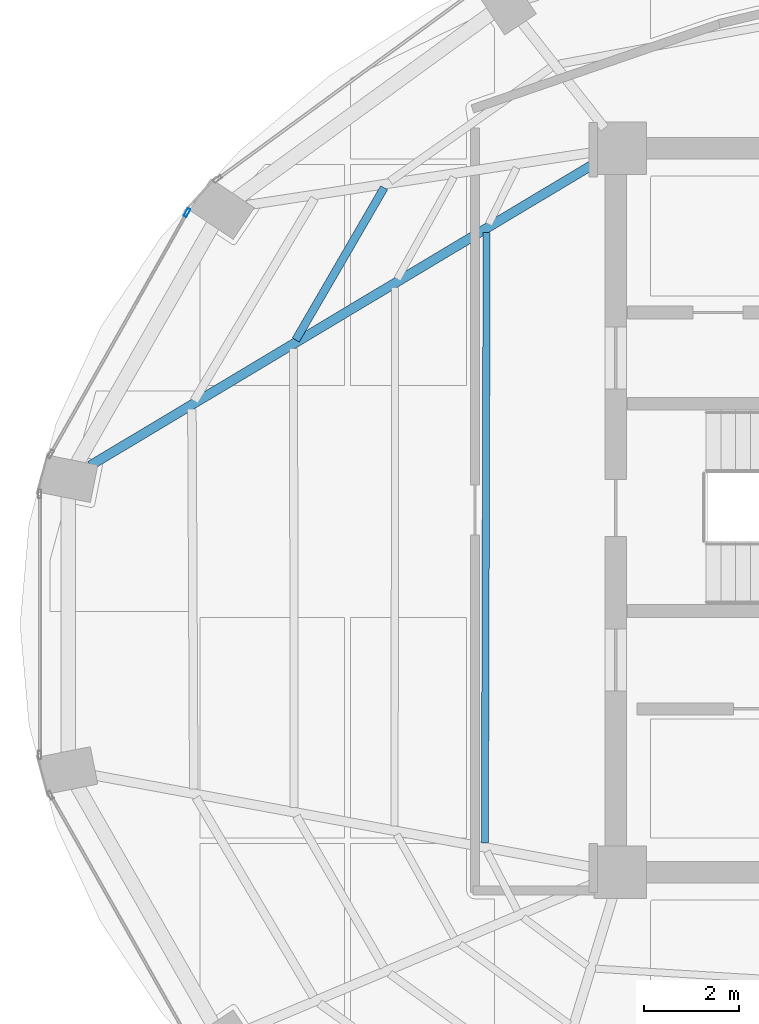
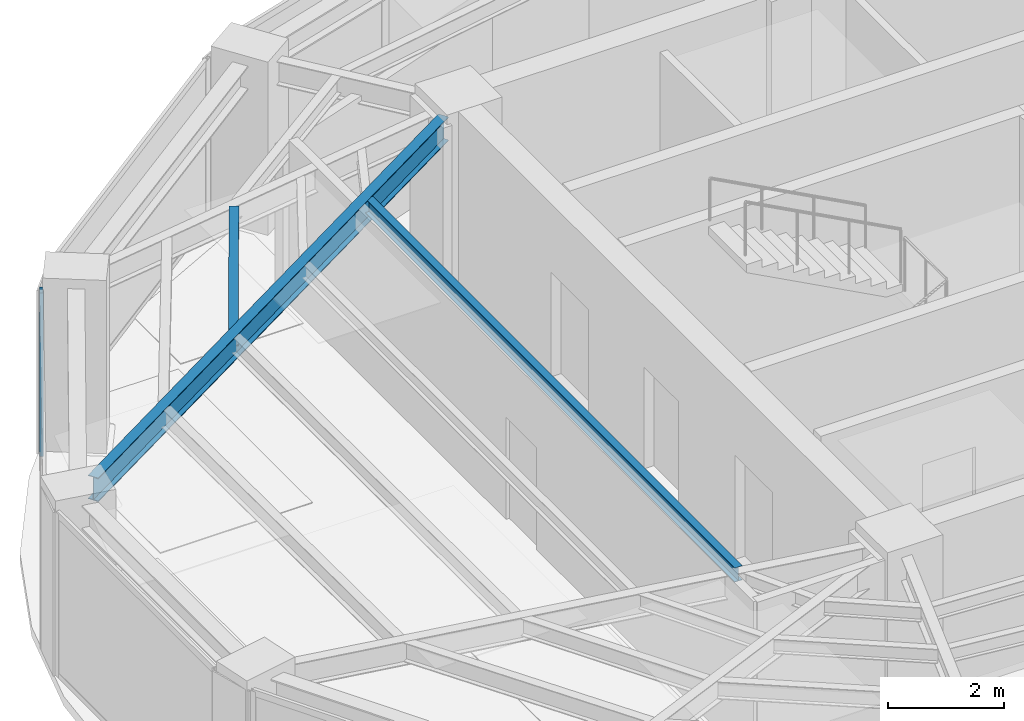
# One storey, part 9 of 22: 3 beams, 1 member, 1 element without a shape of its own.
"""IFC4 building model written with IfcOpenShell, lengths in metres."""

from ifc_helpers import new_model, si_unit, direction, frame, origin, origin_2d, place, context, subcontext, project, spatial, hollow_rectangle, i_section, extrude, material, layer, layer_set, material_profile, profile_set, type_object, element, aggregate, save


model = new_model("IFC4")

# Units and contexts
model_context = context("Model", 3, precision=1e-05, world=origin(), true_north=direction((0.0, 1.0)))
body_context = subcontext(model_context, "Body", "Model", "MODEL_VIEW")
ifc_project = project(units=[si_unit("LENGTHUNIT", "METRE"), si_unit("AREAUNIT", "SQUARE_METRE"), si_unit("VOLUMEUNIT", "CUBIC_METRE"), si_unit("PLANEANGLEUNIT", "RADIAN"), si_unit("MASSUNIT", "GRAM", prefix="KILO")], contexts=[model_context])

# Site, building, storey
site_placement = place(None, origin())
site = spatial("IfcSite", under=ifc_project, at=site_placement, CompositionType="ELEMENT")
building_placement = place(site_placement, origin())
building = spatial("IfcBuilding", under=site, at=building_placement, Name="Lazwardi Medical Tower", CompositionType="ELEMENT")
storey_placement = place(building_placement, frame((0.0, 0.0, 258.672119140625)))
storey = spatial("IfcBuildingStorey", under=building, at=storey_placement, Name="L67", CompositionType="ELEMENT", Elevation=258.672119140625)

# Beams
ifc_material_1 = material(Name="Steel S355", Category="steel")
ifc_material_profile_1 = material_profile(ifc_material_1, i_section(OverallWidth=0.199951171875, OverallDepth=0.5, WebThickness=0.01025390625, FlangeThickness=0.01611328125, at=origin_2d()), Name="IPE 500")
ifc_profile_set_1 = profile_set([ifc_material_profile_1], Name="Steel S355")
beam_type_1 = type_object("IfcBeamType", Name="BM-RG-W3", PredefinedType="BEAM", material=ifc_profile_set_1)
beam_1_placement = place(storey_placement, frame((15.27392578125, 28.937744140625, 3.197998046875), z_axis=(0.857944804603, 0.513741873176, 0.0), x_axis=(-0.513741873176, 0.857944804603, 0.0)))
element("IfcBeam", 1, at=beam_1_placement, inside=storey, type_object=beam_type_1, Name="Radial girder RG-04 R12 L67", PredefinedType="BEAM", context=body_context, shape_type="SweptSolid", body=[
    extrude(i_section(OverallWidth=0.199951171875, OverallDepth=0.5, WebThickness=0.01025390625, FlangeThickness=0.01611328125, at=origin_2d()), origin(), (0.0, 0.0, 1.0), 12.43310546875),
])
ifc_material_profile_2 = material_profile(ifc_material_1, i_section(OverallWidth=0.169921875, OverallDepth=0.360107421875, WebThickness=0.008056640625, FlangeThickness=0.0126953125, at=origin_2d()), Name="IPE 360")
ifc_profile_set_2 = profile_set([ifc_material_profile_2], Name="Steel S355")
beam_type_2 = type_object("IfcBeamType", Name="BM-SJ-02", PredefinedType="JOIST", material=ifc_profile_set_2)
beam_2_placement = place(storey_placement, frame((21.4423828125, 34.767578125, 3.267822265625), z_axis=(-0.50218018565, -0.864763008657, 0.0), x_axis=(0.864763008657, -0.50218018565, 0.0)))
element("IfcBeam", 2, at=beam_2_placement, inside=storey, type_object=beam_type_2, Name="Secondary joist SJ-02 R2 B11 L67", PredefinedType="JOIST", context=body_context, shape_type="SweptSolid", body=[
    extrude(i_section(OverallWidth=0.169921875, OverallDepth=0.360107421875, WebThickness=0.008056640625, FlangeThickness=0.0126953125, at=origin_2d()), origin(), (0.0, 0.0, 1.0), 3.69189453125),
])
ifc_material_profile_3 = material_profile(ifc_material_1, i_section(OverallWidth=0.14990234375, OverallDepth=0.300048828125, WebThickness=0.007080078125, FlangeThickness=0.0107421875, at=origin_2d()), Name="IPE 300")
ifc_profile_set_3 = profile_set([ifc_material_profile_3], Name="Steel S355")
beam_type_3 = type_object("IfcBeamType", Name="BM-SJ-03", PredefinedType="JOIST", material=ifc_profile_set_3)
beam_3_placement = place(storey_placement, frame((23.593994140625, 33.824951171875, 3.2978515625), z_axis=(-0.002897930673, -0.99999580099, 0.0), x_axis=(0.99999580099, -0.002897930673, 0.0)))
element("IfcBeam", 3, at=beam_3_placement, inside=storey, type_object=beam_type_3, Name="Secondary joist SJ-03 R4 B12 L67", PredefinedType="JOIST", context=body_context, shape_type="SweptSolid", body=[
    extrude(i_section(OverallWidth=0.14990234375, OverallDepth=0.300048828125, WebThickness=0.007080078125, FlangeThickness=0.0107421875, at=origin_2d()), origin(), (0.0, 0.0, 1.0), 12.805419921875),
])

# Curtain wall, member
ifc_material_2 = material(Name="Anodised bronze aluminium and solar control glazing", Category="aluminium")
ifc_layer = layer(ifc_material_2, 0.18994140625)
ifc_layer_set = layer_set([ifc_layer], Name="Anodised bronze aluminium and solar control glazing")
curtain_wall_type = type_object("IfcCurtainWallType", Name="CW-SYS-04", PredefinedType="NOTDEFINED", material=ifc_layer_set)
curtain_wall_placement = place(storey_placement, origin())
curtain_wall = element("IfcCurtainWall", 4, at=curtain_wall_placement, inside=storey, type_object=curtain_wall_type, Name="L67 Unitised bronze curtain wall CW-04", PredefinedType="NOTDEFINED")
ifc_material_3 = material(Name="Anodised bronze aluminium", Category="aluminium")
ifc_material_profile_4 = material_profile(ifc_material_3, hollow_rectangle(XDim=0.06494140625, YDim=0.179931640625, WallThickness=0.00390625, at=origin_2d()), Name="ALU-MULLION 180x65x4")
ifc_profile_set_4 = profile_set([ifc_material_profile_4], Name="Anodised bronze aluminium")
member_type = type_object("IfcMemberType", Name="CW-MUL-03", PredefinedType="MULLION", material=ifc_profile_set_4)
member_placement = place(storey_placement, frame((17.3056640625, 34.24560546875, 0.0), z_axis=(0.0, 0.0, 1.0), x_axis=(0.870651436011, -0.491900474661, 0.0)))
member = element("IfcMember", 5, at=member_placement, type_object=member_type, Name="CW-04 mullion 1", PredefinedType="MULLION", context=body_context, shape_type="SweptSolid", body=[
    extrude(hollow_rectangle(XDim=0.06494140625, YDim=0.179931640625, WallThickness=0.00390625, at=origin_2d()), origin(), (0.0, 0.0, 1.0), 3.447998046875),
])
aggregate(curtain_wall, [member])

save(model, "model.ifc")
